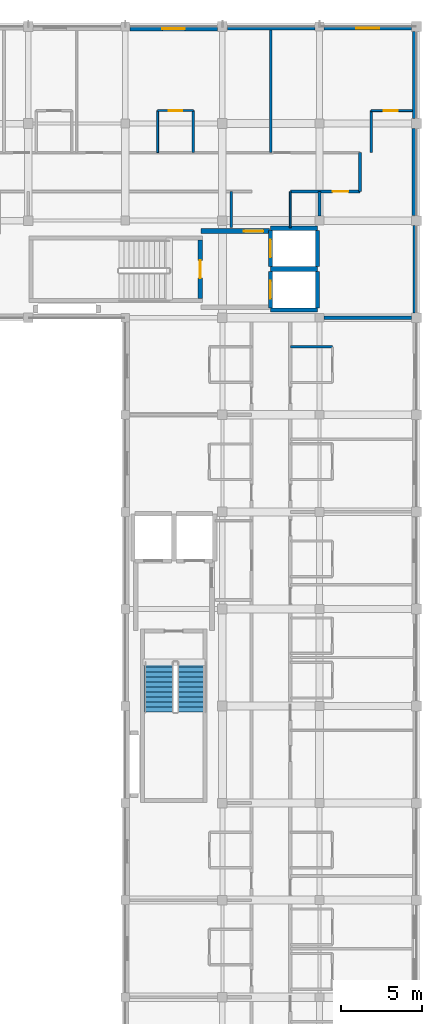
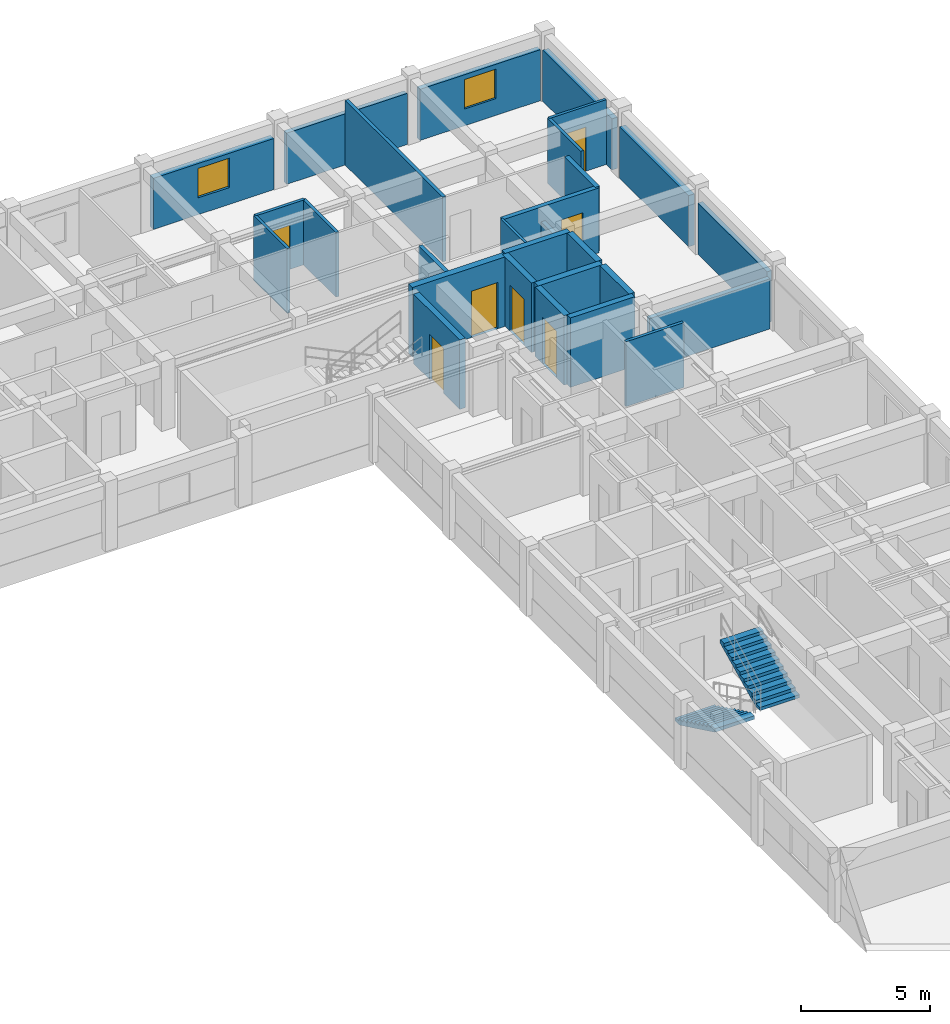
# One storey, part 16 of 22: 28 walls, 7 doors, 2 stair flights, 2 windows, 9 openings, 1 element without a shape of its own.
"""IFC4 building model written with IfcOpenShell, lengths in metres."""

from ifc_helpers import new_model, si_unit, direction, frame, frame_2d, origin, place, context, subcontext, project, spatial, polyline, rectangle, outline, extrude, material, layer, layer_set, type_object, element, fill, aggregate, save


model = new_model("IFC4")

# Units and contexts
model_context = context("Model", 3, precision=1e-05, world=origin(), true_north=direction((0.0, 1.0)))
body_context = subcontext(model_context, "Body", "Model", "MODEL_VIEW")
ifc_project = project(units=[si_unit("LENGTHUNIT", "METRE"), si_unit("AREAUNIT", "SQUARE_METRE"), si_unit("VOLUMEUNIT", "CUBIC_METRE"), si_unit("PLANEANGLEUNIT", "RADIAN"), si_unit("MASSUNIT", "GRAM", prefix="KILO"), si_unit("THERMODYNAMICTEMPERATUREUNIT", "KELVIN"), si_unit("POWERUNIT", "WATT")], contexts=[model_context])

# Site, building, storey
site_placement = place(None, origin())
site = spatial("IfcSite", under=ifc_project, at=site_placement, CompositionType="ELEMENT")
building_placement = place(site_placement, origin())
building = spatial("IfcBuilding", under=site, at=building_placement, Name="Phaisarnlok Congress Hotel", CompositionType="ELEMENT")
storey_placement = place(building_placement, frame((0.0, 0.0, 28.199951171875)))
storey = spatial("IfcBuildingStorey", under=building, at=storey_placement, Name="L06", CompositionType="ELEMENT", Elevation=28.199951171875)

# Walls
ifc_material_1 = material(Name="Concrete C40/50", Category="concrete")
ifc_layer_1 = layer(ifc_material_1, 0.2099609375, Name="Concrete C40/50")
ifc_layer_set_1 = layer_set([ifc_layer_1], Name="Concrete C40/50")
wall_type_1 = type_object("IfcWallType", Name="WL-EXT-210", PredefinedType="SOLIDWALL", material=ifc_layer_set_1)
wall_1_placement = place(storey_placement, frame((179.89501953125, 108.304931640625, 0.0), z_axis=(0.0, 0.0, 1.0), x_axis=(0.0, 1.0, 0.0)))
element("IfcWall", 1, at=wall_1_placement, inside=storey, type_object=wall_type_1, Name="Exterior wall EW-07 (L06)", PredefinedType="SOLIDWALL", context=body_context, shape_type="SweptSolid", body=[
    extrude(rectangle(XDim=5.39013671875, YDim=0.2099609375, at=frame_2d((2.695068359375, 0.0))), origin(), (0.0, 0.0, 1.0), 2.429931640625),
])
wall_2_placement = place(storey_placement, frame((173.719970703125, 125.89501953125, 0.0), z_axis=(0.0, 0.0, 1.0), x_axis=(-1.0, 0.0, 0.0)))
element("IfcWall", 2, at=wall_2_placement, inside=storey, type_object=wall_type_1, Name="Exterior wall EW-07 (L06)", PredefinedType="SOLIDWALL", context=body_context, shape_type="SweptSolid", body=[
    extrude(rectangle(XDim=5.4150390625, YDim=0.2099609375, at=frame_2d((2.70751953125, 0.0))), origin(), (0.0, 0.0, 1.0), 2.429931640625),
])

# Wall, opening, window
ifc_layer_2 = layer(ifc_material_1, 0.22998046875, Name="Concrete C40/50")
ifc_layer_set_2 = layer_set([ifc_layer_2], Name="Concrete C40/50")
wall_type_2 = type_object("IfcWallType", Name="WL-EXT-230", PredefinedType="SOLIDWALL", material=ifc_layer_set_2)
wall_3_placement = place(storey_placement, frame((179.695068359375, 125.885009765625, 0.0), z_axis=(0.0, 0.0, 1.0), x_axis=(-1.0, 0.0, 0.0)))
wall_3 = element("IfcWall", 3, at=wall_3_placement, inside=storey, type_object=wall_type_2, Name="Exterior wall EW-06 (L06)", PredefinedType="SOLIDWALL", context=body_context, shape_type="SweptSolid", body=[
    extrude(rectangle(XDim=5.4150390625, YDim=0.22998046875, at=frame_2d((2.70751953125, 0.0))), origin(), (0.0, 0.0, 1.0), 2.429931640625),
])
opening_1_placement = place(wall_3_placement, frame((2.007080078125, 0.0, 0.800048828125)))
opening_1 = element("IfcOpeningElement", 4, at=opening_1_placement, cuts=wall_3, Name="Opening W-13", PredefinedType="OPENING", context=body_context, shape_type="SweptSolid", body=[
    extrude(rectangle(XDim=1.39990234375, YDim=1.39990234375, at=frame_2d((0.699951171875, 0.699951171875))), frame((0.0, 0.125, 0.0), z_axis=(0.0, -1.0, 0.0), x_axis=(1.0, 0.0, 0.0)), (0.0, 0.0, 1.0), 0.25),
])
ifc_material_2 = material(Name="Thermally Broken Aluminium & Low-E Double Glazing", Category="aluminium")
window_type = type_object("IfcWindowType", Name="WIN-POD-1400", PartitioningType="SINGLE_PANEL", PredefinedType="WINDOW", material=ifc_material_2)
window_1_placement = place(opening_1_placement, origin())
window_1 = element("IfcWindow", 5, at=window_1_placement, inside=storey, type_object=window_type, Name="Guestroom window W-13 (L06)", OverallHeight=1.39990234375, OverallWidth=1.39990234375, PartitioningType="SINGLE_PANEL", PredefinedType="WINDOW", context=body_context, shape_type="SweptSolid", body=[
    extrude(rectangle(XDim=1.39990234375, YDim=1.39990234375, at=frame_2d((0.699951171875, 0.699951171875))), frame((0.0, 0.030029296875, 0.0), z_axis=(0.0, -1.0, 0.0), x_axis=(1.0, 0.0, 0.0)), (0.0, 0.0, 1.0), 0.06005859375),
])
fill(opening_1, window_1)

# Walls
ifc_layer_3 = layer(ifc_material_1, 0.25, Name="Concrete C40/50")
ifc_layer_set_3 = layer_set([ifc_layer_3], Name="Concrete C40/50")
wall_type_3 = type_object("IfcWallType", Name="WL-EXT-250", PredefinedType="SOLIDWALL", material=ifc_layer_set_3)
wall_4_placement = place(storey_placement, frame((179.875, 120.304931640625, 0.0), z_axis=(0.0, 0.0, 1.0), x_axis=(0.0, 1.0, 0.0)))
element("IfcWall", 6, at=wall_4_placement, inside=storey, type_object=wall_type_3, Name="Exterior wall EW-05 (L06)", PredefinedType="SOLIDWALL", context=body_context, shape_type="SweptSolid", body=[
    extrude(rectangle(XDim=5.39013671875, YDim=0.25, at=frame_2d((2.695068359375, 0.0))), origin(), (0.0, 0.0, 1.0), 2.429931640625),
])
ifc_layer_4 = layer(ifc_material_1, 0.27001953125, Name="Concrete C40/50")
ifc_layer_set_4 = layer_set([ifc_layer_4], Name="Concrete C40/50")
wall_type_4 = type_object("IfcWallType", Name="WL-EXT-270", PredefinedType="SOLIDWALL", material=ifc_layer_set_4)
wall_5_placement = place(storey_placement, frame((179.864990234375, 114.304931640625, 0.0), z_axis=(0.0, 0.0, 1.0), x_axis=(0.0, 1.0, 0.0)))
element("IfcWall", 7, at=wall_5_placement, inside=storey, type_object=wall_type_4, Name="Exterior wall EW-04 (L06)", PredefinedType="SOLIDWALL", context=body_context, shape_type="SweptSolid", body=[
    extrude(rectangle(XDim=5.39013671875, YDim=0.27001953125, at=frame_2d((2.695068359375, 0.0))), origin(), (0.0, 0.0, 1.0), 2.429931640625),
])

# Wall, opening, window
wall_6_placement = place(storey_placement, frame((167.695068359375, 125.864990234375, 0.0), z_axis=(0.0, 0.0, 1.0), x_axis=(-1.0, 0.0, 0.0)))
wall_6 = element("IfcWall", 8, at=wall_6_placement, inside=storey, type_object=wall_type_4, Name="Exterior wall EW-04 (L06)", PredefinedType="SOLIDWALL", context=body_context, shape_type="SweptSolid", body=[
    extrude(rectangle(XDim=5.4150390625, YDim=0.27001953125, at=frame_2d((2.70751953125, 0.0))), origin(), (0.0, 0.0, 1.0), 2.429931640625),
])
opening_2_placement = place(wall_6_placement, frame((2.007080078125, 0.0, 0.800048828125)))
opening_2 = element("IfcOpeningElement", 9, at=opening_2_placement, cuts=wall_6, Name="Opening W-13", PredefinedType="OPENING", context=body_context, shape_type="SweptSolid", body=[
    extrude(rectangle(XDim=1.39990234375, YDim=1.39990234375, at=frame_2d((0.699951171875, 0.699951171875))), frame((0.0, 0.14501953125, 0.0), z_axis=(0.0, -1.0, 0.0), x_axis=(1.0, 0.0, 0.0)), (0.0, 0.0, 1.0), 0.2900390625),
])
window_2_placement = place(opening_2_placement, origin())
window_2 = element("IfcWindow", 10, at=window_2_placement, inside=storey, type_object=window_type, Name="Guestroom window W-13 (L06)", OverallHeight=1.39990234375, OverallWidth=1.39990234375, PartitioningType="SINGLE_PANEL", PredefinedType="WINDOW", context=body_context, shape_type="SweptSolid", body=[
    extrude(rectangle(XDim=1.39990234375, YDim=1.39990234375, at=frame_2d((0.699951171875, 0.699951171875))), frame((0.0, 0.030029296875, 0.0), z_axis=(0.0, -1.0, 0.0), x_axis=(1.0, 0.0, 0.0)), (0.0, 0.0, 1.0), 0.06005859375),
])
fill(opening_2, window_2)

# Walls
ifc_material_3 = material(Name="Service Riser Shaftwall Partition", Category="gypsum")
ifc_layer_5 = layer(ifc_material_3, 0.10498046875, Name="Service Riser Shaftwall Partition")
ifc_layer_set_5 = layer_set([ifc_layer_5], Name="Service Riser Shaftwall Partition")
wall_type_5 = type_object("IfcWallType", Name="WL-INT-105", PredefinedType="PARTITIONING", material=ifc_layer_set_5)
wall_7_placement = place(storey_placement, frame((172.199951171875, 113.56005859375, 0.0), z_axis=(0.0, 0.0, 1.0), x_axis=(0.0, 1.0, 0.0)))
element("IfcWall", 11, at=wall_7_placement, inside=storey, type_object=wall_type_5, Name="Interior partition wall IW-08 (L06)", PredefinedType="PARTITIONING", context=body_context, shape_type="SweptSolid", body=[
    extrude(rectangle(XDim=2.239990234375, YDim=0.10498046875, at=frame_2d((1.1201171875, 0.0))), origin(), (0.0, 0.0, 1.0), 3.080078125),
])
ifc_material_4 = material(Name="Lightweight Metal-Stud Gypsum Partition", Category="gypsum")
ifc_layer_6 = layer(ifc_material_4, 0.1201171875, Name="Lightweight Metal-Stud Gypsum Partition")
ifc_layer_set_6 = layer_set([ifc_layer_6], Name="Lightweight Metal-Stud Gypsum Partition")
wall_type_6 = type_object("IfcWallType", Name="WL-INT-120", PredefinedType="PARTITIONING", material=ifc_layer_set_6)
wall_8_placement = place(storey_placement, frame((164.0, 118.199951171875, 0.0), z_axis=(0.0, 0.0, 1.0), x_axis=(0.0, 1.0, 0.0)))
element("IfcWall", 12, at=wall_8_placement, inside=storey, type_object=wall_type_6, Name="Interior partition wall IW-07 (L06)", PredefinedType="PARTITIONING", context=body_context, shape_type="SweptSolid", body=[
    extrude(rectangle(XDim=2.60009765625, YDim=0.1201171875, at=frame_2d((1.300048828125, 0.0))), origin(), (0.0, 0.0, 1.0), 3.080078125),
])

# Wall, opening, door
wall_9_placement = place(storey_placement, frame((177.199951171875, 120.800048828125, 0.0), z_axis=(0.0, 0.0, 1.0), x_axis=(1.0, 0.0, 0.0)))
wall_9 = element("IfcWall", 13, at=wall_9_placement, inside=storey, type_object=wall_type_6, Name="Interior partition wall IW-07 (L06)", PredefinedType="PARTITIONING", context=body_context, shape_type="SweptSolid", body=[
    extrude(rectangle(XDim=2.545166015625, YDim=0.1201171875, at=frame_2d((1.2724609375, 0.0))), origin(), (0.0, 0.0, 1.0), 3.080078125),
])
opening_3_placement = place(wall_9_placement, frame((0.77490234375, 0.0, 0.0)))
opening_3 = element("IfcOpeningElement", 14, at=opening_3_placement, cuts=wall_9, Name="Opening D-0267", PredefinedType="OPENING", context=body_context, shape_type="SweptSolid", body=[
    extrude(rectangle(XDim=0.85009765625, YDim=2.10009765625, at=frame_2d((0.425048828125, 1.050048828125))), frame((0.0, 0.070068359375, 0.0), z_axis=(0.0, -1.0, 0.0), x_axis=(1.0, 0.0, 0.0)), (0.0, 0.0, 1.0), 0.14013671875),
])
ifc_material_5 = material(Name="Moisture-Resistant Lacquered Timber", Category="wood")
door_type_1 = type_object("IfcDoorType", Name="DR-BATH-850", OperationType="NOTDEFINED", PredefinedType="DOOR", material=ifc_material_5)
door_1_placement = place(opening_3_placement, origin())
door_1 = element("IfcDoor", 15, at=door_1_placement, inside=storey, type_object=door_type_1, Name="Interior door D-0267 (L06)", OperationType="SINGLE_SWING_RIGHT", OverallHeight=2.10009765625, OverallWidth=0.85009765625, PredefinedType="DOOR", context=body_context, shape_type="SweptSolid", body=[
    extrude(rectangle(XDim=0.85009765625, YDim=2.10009765625, at=frame_2d((0.425048828125, 1.050048828125))), frame((0.0, 0.02490234375, 0.0), z_axis=(0.0, -1.0, 0.0), x_axis=(1.0, 0.0, 0.0)), (0.0, 0.0, 1.0), 0.050048828125),
])
fill(opening_3, door_1)

# Walls
ifc_material_6 = material(Name="Moisture-Resistant Gypsum Partition", Category="gypsum")
ifc_layer_7 = layer(ifc_material_6, 0.135009765625, Name="Moisture-Resistant Gypsum Partition")
ifc_layer_set_7 = layer_set([ifc_layer_7], Name="Moisture-Resistant Gypsum Partition")
wall_type_7 = type_object("IfcWallType", Name="WL-INT-135", PredefinedType="PARTITIONING", material=ifc_layer_set_7)
for number, where, z_axis, x_axis, name in (
    (16, (166.199951171875, 118.199951171875, 0.0), (0.0, 0.0, 1.0), (0.0, 1.0, 0.0), "Interior partition wall IW-06 (L06)"),
    (17, (177.199951171875, 118.199951171875, 0.0), (0.0, 0.0, 1.0), (0.0, 1.0, 0.0), "Interior partition wall IW-06 (L06)"),
    (18, (172.199951171875, 106.199951171875, 0.0), (0.0, 0.0, 1.0), (1.0, 0.0, 0.0), "Interior partition wall IW-06 (L06)"),
):
    element("IfcWall", number, at=place(storey_placement, frame(where, z_axis=z_axis, x_axis=x_axis)), inside=storey, type_object=wall_type_7, Name=name, PredefinedType="PARTITIONING", context=body_context, shape_type="SweptSolid", body=[
        extrude(rectangle(XDim=2.60009765625, YDim=0.135009765625, at=frame_2d((1.300048828125, 0.0))), origin(), (0.0, 0.0, 1.0), 3.080078125),
    ])

# Wall, opening, door
wall_10_placement = place(storey_placement, frame((164.0, 120.800048828125, 0.0), z_axis=(0.0, 0.0, 1.0), x_axis=(1.0, 0.0, 0.0)))
wall_10 = element("IfcWall", 19, at=wall_10_placement, inside=storey, type_object=wall_type_7, Name="Interior partition wall IW-06 (L06)", PredefinedType="PARTITIONING", context=body_context, shape_type="SweptSolid", body=[
    extrude(rectangle(XDim=2.199951171875, YDim=0.135009765625, at=frame_2d((1.10009765625, 0.0))), origin(), (0.0, 0.0, 1.0), 3.080078125),
])
opening_4_placement = place(wall_10_placement, frame((0.675048828125, 0.0, 0.0)))
opening_4 = element("IfcOpeningElement", 20, at=opening_4_placement, cuts=wall_10, Name="Opening D-0265", PredefinedType="OPENING", context=body_context, shape_type="SweptSolid", body=[
    extrude(rectangle(XDim=0.85009765625, YDim=2.10009765625, at=frame_2d((0.425048828125, 1.050048828125))), frame((0.0, 0.07763671875, 0.0), z_axis=(0.0, -1.0, 0.0), x_axis=(1.0, 0.0, 0.0)), (0.0, 0.0, 1.0), 0.155029296875),
])
door_2_placement = place(opening_4_placement, origin())
door_2 = element("IfcDoor", 21, at=door_2_placement, inside=storey, type_object=door_type_1, Name="Interior door D-0265 (L06)", OperationType="SINGLE_SWING_RIGHT", OverallHeight=2.10009765625, OverallWidth=0.85009765625, PredefinedType="DOOR", context=body_context, shape_type="SweptSolid", body=[
    extrude(rectangle(XDim=0.85009765625, YDim=2.10009765625, at=frame_2d((0.425048828125, 1.050048828125))), frame((0.0, 0.02490234375, 0.0), z_axis=(0.0, -1.0, 0.0), x_axis=(1.0, 0.0, 0.0)), (0.0, 0.0, 1.0), 0.050048828125),
])
fill(opening_4, door_2)

# Walls
ifc_material_7 = material(Name="Acoustic Gypsum Board & Mineral Wool", Category="gypsum")
ifc_layer_8 = layer(ifc_material_7, 0.14990234375, Name="Acoustic Gypsum Board & Mineral Wool")
ifc_layer_set_8 = layer_set([ifc_layer_8], Name="Acoustic Gypsum Board & Mineral Wool")
wall_type_8 = type_object("IfcWallType", Name="WL-INT-150", PredefinedType="PARTITIONING", material=ifc_layer_set_8)
wall_11_placement = place(storey_placement, frame((171.0, 118.199951171875, 0.0), z_axis=(0.0, 0.0, 1.0), x_axis=(0.0, 1.0, 0.0)))
element("IfcWall", 22, at=wall_11_placement, inside=storey, type_object=wall_type_8, Name="Interior partition wall IW-05 (L06)", PredefinedType="PARTITIONING", context=body_context, shape_type="SweptSolid", body=[
    extrude(rectangle(XDim=7.5849609375, YDim=0.14990234375, at=frame_2d((3.79248046875, 0.0))), origin(), (0.0, 0.0, 1.0), 3.080078125),
])
ifc_material_8 = material(Name="Autoclaved Aerated Concrete Block", Category="concrete")
ifc_layer_9 = layer(ifc_material_8, 0.179931640625, Name="Autoclaved Aerated Concrete Block")
ifc_layer_set_9 = layer_set([ifc_layer_9], Name="Autoclaved Aerated Concrete Block")
wall_type_9 = type_object("IfcWallType", Name="WL-INT-180", PredefinedType="PARTITIONING", material=ifc_layer_set_9)
wall_12_placement = place(storey_placement, frame((168.550048828125, 113.56005859375, 0.0), z_axis=(0.0, 0.0, 1.0), x_axis=(0.0, 1.0, 0.0)))
element("IfcWall", 23, at=wall_12_placement, inside=storey, type_object=wall_type_9, Name="Interior partition wall IW-03 (L06)", PredefinedType="PARTITIONING", context=body_context, shape_type="SweptSolid", body=[
    extrude(rectangle(XDim=2.239990234375, YDim=0.179931640625, at=frame_2d((1.1201171875, 0.0))), origin(), (0.0, 0.0, 1.0), 3.080078125),
])
wall_13_placement = place(storey_placement, frame((174.0, 114.280029296875, 0.0), z_axis=(0.0, 0.0, 1.0), x_axis=(0.0, 1.0, 0.0)))
element("IfcWall", 24, at=wall_13_placement, inside=storey, type_object=wall_type_9, Name="Interior partition wall IW-03 (L06)", PredefinedType="PARTITIONING", context=body_context, shape_type="SweptSolid", body=[
    extrude(rectangle(XDim=1.52001953125, YDim=0.179931640625, at=frame_2d((0.760009765625, 0.0))), origin(), (0.0, 0.0, 1.0), 2.380126953125),
])
ifc_layer_10 = layer(ifc_material_8, 0.199951171875, Name="Autoclaved Aerated Concrete Block")
ifc_layer_set_10 = layer_set([ifc_layer_10], Name="Autoclaved Aerated Concrete Block")
wall_type_10 = type_object("IfcWallType", Name="WL-INT-200", PredefinedType="PARTITIONING", material=ifc_layer_set_10)
wall_14_placement = place(storey_placement, frame((176.5, 115.800048828125, 0.0), z_axis=(0.0, 0.0, 1.0), x_axis=(0.0, 1.0, 0.0)))
element("IfcWall", 25, at=wall_14_placement, inside=storey, type_object=wall_type_10, Name="Interior partition wall IW-02 (L06)", PredefinedType="PARTITIONING", context=body_context, shape_type="SweptSolid", body=[
    extrude(rectangle(XDim=2.39990234375, YDim=0.199951171875, at=frame_2d((1.199951171875, 0.0))), origin(), (0.0, 0.0, 1.0), 3.080078125),
])
wall_15_placement = place(storey_placement, frame((174.280029296875, 108.0, 0.0), z_axis=(0.0, 0.0, 1.0), x_axis=(1.0, 0.0, 0.0)))
element("IfcWall", 26, at=wall_15_placement, inside=storey, type_object=wall_type_10, Name="Interior partition wall IW-02 (L06)", PredefinedType="PARTITIONING", context=body_context, shape_type="SweptSolid", body=[
    extrude(rectangle(XDim=5.4150390625, YDim=0.199951171875, at=frame_2d((2.70751953125, 0.0))), origin(), (0.0, 0.0, 1.0), 2.380126953125),
])

# Wall, opening, door
wall_16_placement = place(storey_placement, frame((172.199951171875, 115.800048828125, 0.0), z_axis=(0.0, 0.0, 1.0), x_axis=(1.0, 0.0, 0.0)))
wall_16 = element("IfcWall", 27, at=wall_16_placement, inside=storey, type_object=wall_type_10, Name="Interior partition wall IW-02 (L06)", PredefinedType="PARTITIONING", context=body_context, shape_type="SweptSolid", body=[
    extrude(rectangle(XDim=4.300048828125, YDim=0.199951171875, at=frame_2d((2.14990234375, 0.0))), origin(), (0.0, 0.0, 1.0), 3.080078125),
])
opening_5_placement = place(wall_16_placement, frame((2.6201171875, 0.0, 0.0)))
opening_5 = element("IfcOpeningElement", 28, at=opening_5_placement, cuts=wall_16, Name="Opening D-0299", PredefinedType="OPENING", context=body_context, shape_type="SweptSolid", body=[
    extrude(rectangle(XDim=0.9599609375, YDim=2.14990234375, at=frame_2d((0.47998046875, 1.074951171875))), frame((0.0, 0.10986328125, 0.0), z_axis=(0.0, -1.0, 0.0), x_axis=(1.0, 0.0, 0.0)), (0.0, 0.0, 1.0), 0.219970703125),
])
ifc_material_9 = material(Name="Fire-Rated Steel Frame & Timber Leaf", Category="steel")
door_type_2 = type_object("IfcDoorType", Name="DR-FD60-950", OperationType="NOTDEFINED", PredefinedType="DOOR", material=ifc_material_9)
door_3_placement = place(opening_5_placement, origin())
door_3 = element("IfcDoor", 29, at=door_3_placement, inside=storey, type_object=door_type_2, Name="Interior door D-0299 (L06)", OperationType="SINGLE_SWING_RIGHT", OverallHeight=2.14990234375, OverallWidth=0.9599609375, PredefinedType="DOOR", context=body_context, shape_type="SweptSolid", body=[
    extrude(rectangle(XDim=0.9599609375, YDim=2.14990234375, at=frame_2d((0.47998046875, 1.074951171875))), frame((0.0, 0.02490234375, 0.0), z_axis=(0.0, -1.0, 0.0), x_axis=(1.0, 0.0, 0.0)), (0.0, 0.0, 1.0), 0.050048828125),
])
fill(opening_5, door_3)

ifc_material_10 = material(Name="Concrete C50/60", Category="concrete")
ifc_layer_11 = layer(ifc_material_10, 0.260009765625, Name="Concrete C50/60")
ifc_layer_set_11 = layer_set([ifc_layer_11], Name="Concrete C50/60")
wall_type_11 = type_object("IfcWallType", Name="WL-SHR-260", PredefinedType="SHEAR", material=ifc_layer_set_11)
wall_17_placement = place(storey_placement, frame((166.6298828125, 109.199951171875, 0.0), z_axis=(0.0, 0.0, 1.0), x_axis=(0.0, 1.0, 0.0)))
wall_17 = element("IfcWall", 30, at=wall_17_placement, inside=storey, type_object=wall_type_11, Name="Stair shaft shear wall SW-04 (CORE-1 L06)", PredefinedType="SHEAR", context=body_context, shape_type="SweptSolid", body=[
    extrude(rectangle(XDim=3.60009765625, YDim=0.260009765625, at=frame_2d((1.800048828125, 0.0))), origin(), (0.0, 0.0, 1.0), 3.300048828125),
])
opening_6_placement = place(wall_17_placement, frame((1.25, 0.0, 0.0)))
opening_6 = element("IfcOpeningElement", 31, at=opening_6_placement, cuts=wall_17, Name="Opening FD-008", PredefinedType="OPENING", context=body_context, shape_type="SweptSolid", body=[
    extrude(rectangle(XDim=1.10009765625, YDim=2.14990234375, at=frame_2d((0.550048828125, 1.074951171875))), frame((0.0, 0.14013671875, 0.0), z_axis=(0.0, -1.0, 0.0), x_axis=(1.0, 0.0, 0.0)), (0.0, 0.0, 1.0), 0.280029296875),
])
door_type_3 = type_object("IfcDoorType", Name="DR-FD60-1100", OperationType="NOTDEFINED", PredefinedType="DOOR", material=ifc_material_9)
door_4_placement = place(opening_6_placement, origin())
door_4 = element("IfcDoor", 32, at=door_4_placement, inside=storey, type_object=door_type_3, Name="Stair enclosure fire door FD-008 (L06)", OperationType="SINGLE_SWING_LEFT", OverallHeight=2.14990234375, OverallWidth=1.10009765625, PredefinedType="DOOR", context=body_context, shape_type="SweptSolid", body=[
    extrude(rectangle(XDim=1.10009765625, YDim=2.14990234375, at=frame_2d((0.550048828125, 1.074951171875))), frame((0.0, 0.02490234375, 0.0), z_axis=(0.0, -1.0, 0.0), x_axis=(1.0, 0.0, 0.0)), (0.0, 0.0, 1.0), 0.050048828125),
])
fill(opening_6, door_4)

# Walls
wall_18_placement = place(storey_placement, frame((170.969970703125, 108.469970703125, 0.0), z_axis=(0.0, 0.0, 1.0), x_axis=(1.0, 0.0, 0.0)))
element("IfcWall", 33, at=wall_18_placement, inside=storey, type_object=wall_type_11, Name="Lift shaft shear wall SW-04 (LF-FF1 L06)", PredefinedType="SHEAR", context=body_context, shape_type="SweptSolid", body=[
    extrude(rectangle(XDim=2.909912109375, YDim=0.260009765625, at=frame_2d((1.455078125, 0.0))), origin(), (0.0, 0.0, 1.0), 3.300048828125),
])
wall_19_placement = place(storey_placement, frame((173.8798828125, 108.60009765625, 0.0), z_axis=(0.0, 0.0, 1.0), x_axis=(0.0, 1.0, 0.0)))
element("IfcWall", 34, at=wall_19_placement, inside=storey, type_object=wall_type_11, Name="Lift shaft shear wall SW-04 (LF-FF1 L06)", PredefinedType="SHEAR", context=body_context, shape_type="SweptSolid", body=[
    extrude(rectangle(XDim=2.25, YDim=0.260009765625, at=frame_2d((1.125, 0.0))), origin(), (0.0, 0.0, 1.0), 3.300048828125),
])

# Wall, opening, door
wall_20_placement = place(storey_placement, frame((170.969970703125, 108.60009765625, 0.0), z_axis=(0.0, 0.0, 1.0), x_axis=(0.0, 1.0, 0.0)))
wall_20 = element("IfcWall", 35, at=wall_20_placement, inside=storey, type_object=wall_type_11, Name="Lift shaft front wall SW-04 (LF-FF1 L06)", PredefinedType="SHEAR", context=body_context, shape_type="SweptSolid", body=[
    extrude(rectangle(XDim=2.25, YDim=0.260009765625, at=frame_2d((1.125, 0.0))), origin(), (0.0, 0.0, 1.0), 3.300048828125),
])
opening_7_placement = place(wall_20_placement, frame((0.574951171875, 0.0, 0.0)))
opening_7 = element("IfcOpeningElement", 36, at=opening_7_placement, cuts=wall_20, Name="Opening LD-008", PredefinedType="OPENING", context=body_context, shape_type="SweptSolid", body=[
    extrude(rectangle(XDim=1.10009765625, YDim=2.199951171875, at=frame_2d((0.550048828125, 1.10009765625))), frame((0.0, 0.14013671875, 0.0), z_axis=(0.0, -1.0, 0.0), x_axis=(1.0, 0.0, 0.0)), (0.0, 0.0, 1.0), 0.280029296875),
])
ifc_material_11 = material(Name="Brushed Stainless Steel Grade 304", Category="steel")
door_type_4 = type_object("IfcDoorType", Name="DR-LD-1100", OperationType="DOUBLE_DOOR_SLIDING", PredefinedType="DOOR", material=ifc_material_11)
door_5_placement = place(opening_7_placement, origin())
door_5 = element("IfcDoor", 37, at=door_5_placement, inside=storey, type_object=door_type_4, Name="Lift landing sliding door LD-008 (LF-FF1 L06)", OperationType="DOUBLE_DOOR_SLIDING", OverallHeight=2.199951171875, OverallWidth=1.10009765625, PredefinedType="DOOR", context=body_context, shape_type="SweptSolid", body=[
    extrude(rectangle(XDim=1.10009765625, YDim=2.199951171875, at=frame_2d((0.550048828125, 1.10009765625))), frame((0.0, 0.02490234375, 0.0), z_axis=(0.0, -1.0, 0.0), x_axis=(1.0, 0.0, 0.0)), (0.0, 0.0, 1.0), 0.050048828125),
])
fill(opening_7, door_5)

# Walls
wall_21_placement = place(storey_placement, frame((170.969970703125, 113.530029296875, 0.0), z_axis=(0.0, 0.0, 1.0), x_axis=(1.0, 0.0, 0.0)))
element("IfcWall", 38, at=wall_21_placement, inside=storey, type_object=wall_type_11, Name="Lift shaft shear wall SW-04 (LF-HP1 L06)", PredefinedType="SHEAR", context=body_context, shape_type="SweptSolid", body=[
    extrude(rectangle(XDim=2.909912109375, YDim=0.260009765625, at=frame_2d((1.455078125, 0.0))), origin(), (0.0, 0.0, 1.0), 3.300048828125),
])
wall_22_placement = place(storey_placement, frame((173.8798828125, 111.14990234375, 0.0), z_axis=(0.0, 0.0, 1.0), x_axis=(0.0, 1.0, 0.0)))
element("IfcWall", 39, at=wall_22_placement, inside=storey, type_object=wall_type_11, Name="Lift shaft shear wall SW-04 (LF-HP1 L06)", PredefinedType="SHEAR", context=body_context, shape_type="SweptSolid", body=[
    extrude(rectangle(XDim=2.25, YDim=0.260009765625, at=frame_2d((1.125, 0.0))), origin(), (0.0, 0.0, 1.0), 3.300048828125),
])

# Wall, opening, door
wall_23_placement = place(storey_placement, frame((170.969970703125, 111.14990234375, 0.0), z_axis=(0.0, 0.0, 1.0), x_axis=(0.0, 1.0, 0.0)))
wall_23 = element("IfcWall", 40, at=wall_23_placement, inside=storey, type_object=wall_type_11, Name="Lift shaft front wall SW-04 (LF-HP1 L06)", PredefinedType="SHEAR", context=body_context, shape_type="SweptSolid", body=[
    extrude(rectangle(XDim=2.25, YDim=0.260009765625, at=frame_2d((1.125, 0.0))), origin(), (0.0, 0.0, 1.0), 3.300048828125),
])
opening_8_placement = place(wall_23_placement, frame((0.574951171875, 0.0, 0.0)))
opening_8 = element("IfcOpeningElement", 41, at=opening_8_placement, cuts=wall_23, Name="Opening LD-023", PredefinedType="OPENING", context=body_context, shape_type="SweptSolid", body=[
    extrude(rectangle(XDim=1.10009765625, YDim=2.199951171875, at=frame_2d((0.550048828125, 1.10009765625))), frame((0.0, 0.14013671875, 0.0), z_axis=(0.0, -1.0, 0.0), x_axis=(1.0, 0.0, 0.0)), (0.0, 0.0, 1.0), 0.280029296875),
])
door_6_placement = place(opening_8_placement, origin())
door_6 = element("IfcDoor", 42, at=door_6_placement, inside=storey, type_object=door_type_4, Name="Lift landing sliding door LD-023 (LF-HP1 L06)", OperationType="DOUBLE_DOOR_SLIDING", OverallHeight=2.199951171875, OverallWidth=1.10009765625, PredefinedType="DOOR", context=body_context, shape_type="SweptSolid", body=[
    extrude(rectangle(XDim=1.10009765625, YDim=2.199951171875, at=frame_2d((0.550048828125, 1.10009765625))), frame((0.0, 0.02490234375, 0.0), z_axis=(0.0, -1.0, 0.0), x_axis=(1.0, 0.0, 0.0)), (0.0, 0.0, 1.0), 0.050048828125),
])
fill(opening_8, door_6)

# Wall
ifc_layer_12 = layer(ifc_material_10, 0.300048828125, Name="Concrete C50/60")
ifc_layer_set_12 = layer_set([ifc_layer_12], Name="Concrete C50/60")
wall_type_12 = type_object("IfcWallType", Name="WL-SHR-300", PredefinedType="SHEAR", material=ifc_layer_set_12)
wall_24_placement = place(storey_placement, frame((170.969970703125, 111.0, 0.0), z_axis=(0.0, 0.0, 1.0), x_axis=(1.0, 0.0, 0.0)))
element("IfcWall", 43, at=wall_24_placement, inside=storey, type_object=wall_type_12, Name="Lift shaft divider shear wall SW-03 (LF-FF1 L06)", PredefinedType="SHEAR", context=body_context, shape_type="SweptSolid", body=[
    extrude(rectangle(XDim=2.909912109375, YDim=0.300048828125, at=frame_2d((1.455078125, 0.0))), origin(), (0.0, 0.0, 1.0), 3.300048828125),
])

# Wall, opening, door
wall_25_placement = place(storey_placement, frame((166.679931640625, 113.35009765625, 0.0), z_axis=(0.0, 0.0, 1.0), x_axis=(1.0, 0.0, 0.0)))
wall_25 = element("IfcWall", 44, at=wall_25_placement, inside=storey, type_object=wall_type_12, Name="Core lobby EI-120 wall SW-03 (CORE-1 L06)", PredefinedType="SHEAR", context=body_context, shape_type="SweptSolid", body=[
    extrude(rectangle(XDim=4.239990234375, YDim=0.300048828125, at=frame_2d((2.1201171875, 0.0))), origin(), (0.0, 0.0, 1.0), 3.300048828125),
])
opening_9_placement = place(wall_25_placement, frame((2.64990234375, 0.0, 0.0)))
opening_9 = element("IfcOpeningElement", 45, at=opening_9_placement, cuts=wall_25, Name="Opening FD-023", PredefinedType="OPENING", context=body_context, shape_type="SweptSolid", body=[
    extrude(rectangle(XDim=1.199951171875, YDim=2.199951171875, at=frame_2d((0.60009765625, 1.10009765625))), frame((0.0, 0.16015625, 0.0), z_axis=(0.0, -1.0, 0.0), x_axis=(1.0, 0.0, 0.0)), (0.0, 0.0, 1.0), 0.320068359375),
])
door_type_5 = type_object("IfcDoorType", Name="DR-FD60-1200", OperationType="NOTDEFINED", PredefinedType="DOOR", material=ifc_material_9)
door_7_placement = place(opening_9_placement, origin())
door_7 = element("IfcDoor", 46, at=door_7_placement, inside=storey, type_object=door_type_5, Name="Firefighting lobby entrance door FD-023 (CORE-1 L06)", OperationType="SINGLE_SWING_RIGHT", OverallHeight=2.199951171875, OverallWidth=1.199951171875, PredefinedType="DOOR", context=body_context, shape_type="SweptSolid", body=[
    extrude(rectangle(XDim=1.199951171875, YDim=2.199951171875, at=frame_2d((0.60009765625, 1.10009765625))), frame((0.0, 0.02490234375, 0.0), z_axis=(0.0, -1.0, 0.0), x_axis=(1.0, 0.0, 0.0)), (0.0, 0.0, 1.0), 0.050048828125),
])
fill(opening_9, door_7)

# Stair, stair flights
stair_type = type_object("IfcStairType", Name="STR-DOG-05", PredefinedType="HALF_TURN_STAIR", material=ifc_material_1)
stair_placement = place(storey_placement, origin())
stair = element("IfcStair", 47, at=stair_placement, inside=storey, type_object=stair_type, Name="L06 ST-09", PredefinedType="HALF_TURN_STAIR")
stair_flight_type = type_object("IfcStairFlightType", Name="SFL-RC-05", PredefinedType="STRAIGHT", material=ifc_material_1)
stair_flight_1_placement = place(storey_placement, frame((164.090087890625, 86.719970703125, 0.0), z_axis=(0.0, 0.0, 1.0), x_axis=(0.0, -1.0, 0.0)))
stair_flight_1 = element("IfcStairFlight", 48, at=stair_flight_1_placement, type_object=stair_flight_type, Name="ST-09 flight 1", NumberOfRisers=11, NumberOfTreads=10, PredefinedType="STRAIGHT", RiserHeight=0.15, TreadLength=0.31, context=body_context, shape_type="SweptSolid", body=[
    extrude(outline(polyline([(0.0, 0.0), (0.0, 0.14990234375), (0.31005859375, 0.14990234375), (0.31005859375, 0.300048828125), (0.6201171875, 0.300048828125), (0.6201171875, 0.449951171875), (0.929931640625, 0.449951171875), (0.929931640625, 0.60009765625), (1.239990234375, 0.60009765625), (1.239990234375, 0.75), (1.550048828125, 0.75), (1.550048828125, 0.89990234375), (1.860107421875, 0.89990234375), (1.860107421875, 1.050048828125), (2.169921875, 1.050048828125), (2.169921875, 1.199951171875), (2.47998046875, 1.199951171875), (2.47998046875, 1.35009765625), (2.7900390625, 1.35009765625), (2.7900390625, 1.5), (3.10009765625, 1.5), (3.10009765625, 1.64990234375), (3.10009765625, 1.33349609375), (0.34423828125, 0.0), (0.0, 0.0)])), frame((0.0, 0.89013671875, 0.0), z_axis=(0.0, -1.0, 0.0), x_axis=(1.0, 0.0, 0.0)), (0.0, 0.0, 1.0), 1.780029296875),
])
stair_flight_2_placement = place(storey_placement, frame((166.110107421875, 83.6201171875, 1.650146484375), z_axis=(0.0, 0.0, 1.0), x_axis=(0.0, 1.0, 0.0)))
stair_flight_2 = element("IfcStairFlight", 49, at=stair_flight_2_placement, type_object=stair_flight_type, Name="ST-09 flight 2", NumberOfRisers=11, NumberOfTreads=10, PredefinedType="STRAIGHT", RiserHeight=0.15, TreadLength=0.31, context=body_context, shape_type="SweptSolid", body=[
    extrude(outline(polyline([(0.0, 0.0), (0.0, 0.14990234375), (0.31005859375, 0.14990234375), (0.31005859375, 0.300048828125), (0.6201171875, 0.300048828125), (0.6201171875, 0.449951171875), (0.929931640625, 0.449951171875), (0.929931640625, 0.60009765625), (1.239990234375, 0.60009765625), (1.239990234375, 0.75), (1.550048828125, 0.75), (1.550048828125, 0.89990234375), (1.860107421875, 0.89990234375), (1.860107421875, 1.050048828125), (2.169921875, 1.050048828125), (2.169921875, 1.199951171875), (2.47998046875, 1.199951171875), (2.47998046875, 1.35009765625), (2.7900390625, 1.35009765625), (2.7900390625, 1.5), (3.10009765625, 1.5), (3.10009765625, 1.64990234375), (3.10009765625, 1.33349609375), (0.34423828125, 0.0), (0.0, 0.0)])), frame((0.0, 0.89013671875, 0.0), z_axis=(0.0, -1.0, 0.0), x_axis=(1.0, 0.0, 0.0)), (0.0, 0.0, 1.0), 1.780029296875),
])
aggregate(stair, [stair_flight_1, stair_flight_2])

save(model, "model.ifc")
